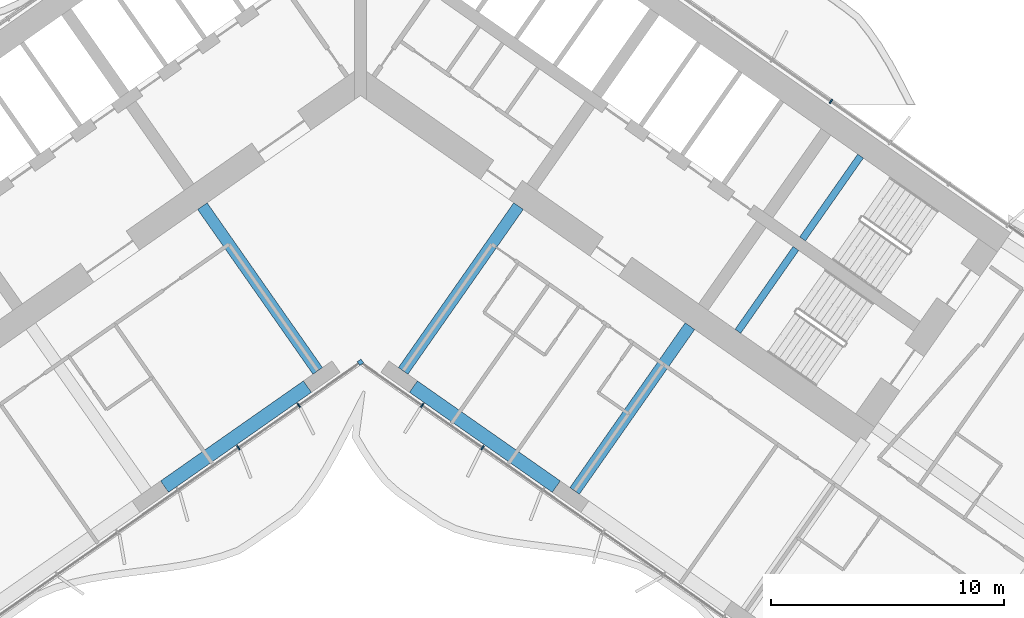
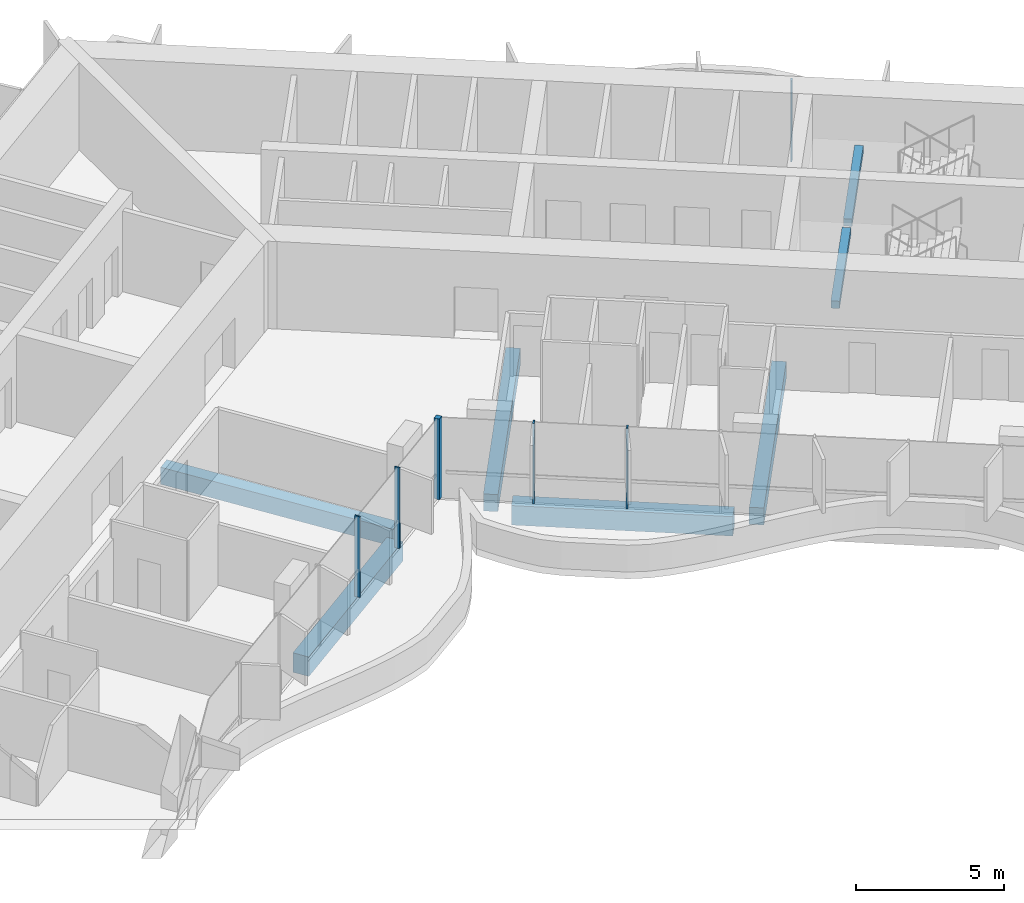
# One storey, part 6 of 23: 7 beams, 6 members, 2 elements without a shape of their own.
"""IFC4 building model written with IfcOpenShell, lengths in metres."""

import ifcopenshell
import ifcopenshell.guid

model = None  # the IFC model being written
_history = None  # IfcOwnerHistory: only IFC2X3 demands one
_inside = {}  # id of a spatial element -> (the spatial element, [elements in it])
_under = {}  # id of a project, library or spatial element -> (it, [spatial elements below it])
_declared = {}  # id of a project -> (the project, [libraries it declares])
_typed = {}  # id of a type object -> (the type object, [elements of that type])
_made_of = {}  # id of a material, layer set ... -> (it, [elements and type objects made of it])


def new_model(schema):
    """Start an empty IFC model of exactly this schema.

    Asked for "IFC4X3", IfcOpenShell would pick the latest addendum, in which some entities
    have other attributes; the version numbers below select the first issue.
    IFC2X3 requires an IfcOwnerHistory on every rooted entity: one is made here for all.
    """
    global model, _history
    if schema == "IFC4X3":
        model = ifcopenshell.file(schema_version=(4, 3, 0, 0))
    else:
        model = ifcopenshell.file(schema=schema)
    _inside.clear()
    _under.clear()
    _declared.clear()
    _typed.clear()
    _made_of.clear()
    _history = None
    if model.schema == "IFC2X3":
        org = make("IfcOrganization", Name="unknown")
        user = make(
            "IfcPersonAndOrganization",
            ThePerson=make("IfcPerson", FamilyName="unknown"),
            TheOrganization=org,
        )
        app = make(
            "IfcApplication",
            ApplicationDeveloper=org,
            Version="unknown",
            ApplicationFullName="unknown",
            ApplicationIdentifier="unknown",
        )
        _history = make(
            "IfcOwnerHistory",
            OwningUser=user,
            OwningApplication=app,
            ChangeAction="ADDED",
            CreationDate=0,
        )
    return model


def make(cls, **values):
    """One entity of the class cls with the attributes given. An attribute that is None is left unset."""
    return model.create_entity(
        cls, **{name: value for name, value in values.items() if value is not None}
    )


def rooted(cls, **values):
    """An entity with a GlobalId (a new one), such as an element, a storey or a relation."""
    return make(cls, GlobalId=ifcopenshell.guid.new(), OwnerHistory=_history, **values)


def si_unit(unit_type, name, prefix=None):
    """IfcSIUnit, for example si_unit("LENGTHUNIT", "METRE", prefix="MILLI")."""
    return make("IfcSIUnit", UnitType=unit_type, Prefix=prefix, Name=name)


def assignment(units):
    """IfcUnitAssignment: the units of a project."""
    return None if units is None else make("IfcUnitAssignment", Units=units)


def point(xyz):
    """IfcCartesianPoint."""
    return None if xyz is None else make("IfcCartesianPoint", Coordinates=xyz)


def direction(xyz):
    """IfcDirection."""
    return None if xyz is None else make("IfcDirection", DirectionRatios=xyz)


def frame(location, z_axis=None, x_axis=None):
    """IfcAxis2Placement3D, a coordinate frame: its origin and axes. An axis left out is left unset."""
    return make(
        "IfcAxis2Placement3D",
        Location=point(location),
        Axis=direction(z_axis),
        RefDirection=direction(x_axis),
    )


def frame_2d(location, x_axis=None):
    """IfcAxis2Placement2D, a coordinate frame in the plane: its origin and x axis."""
    return make(
        "IfcAxis2Placement2D", Location=point(location), RefDirection=direction(x_axis)
    )


def origin():
    """The frame at (0, 0, 0) with its axes left unset."""
    return frame((0.0, 0.0, 0.0))


def origin_2d():
    """The frame at (0, 0) in the plane with its x axis left unset."""
    return frame_2d((0.0, 0.0))


def place(relative_to, where):
    """IfcLocalPlacement: puts the frame where relative to a parent placement (None: the world)."""
    return make(
        "IfcLocalPlacement", PlacementRelTo=relative_to, RelativePlacement=where
    )


def context(
    kind, dimensions, precision=None, world=None, true_north=None, identifier=None
):
    """IfcGeometricRepresentationContext, for example the 3D "Model" context."""
    return make(
        "IfcGeometricRepresentationContext",
        ContextIdentifier=identifier,
        ContextType=kind,
        CoordinateSpaceDimension=dimensions,
        Precision=precision,
        WorldCoordinateSystem=world,
        TrueNorth=true_north,
    )


def subcontext(parent, identifier, kind, view, scale=None):
    """IfcGeometricRepresentationSubContext, for example "Body" below "Model"."""
    return make(
        "IfcGeometricRepresentationSubContext",
        ContextIdentifier=identifier,
        ContextType=kind,
        ParentContext=parent,
        TargetScale=scale,
        TargetView=view,
    )


def project(units=None, contexts=None):
    """IfcProject with its units and contexts."""
    return rooted(
        "IfcProject",
        Name="project",
        RepresentationContexts=contexts,
        UnitsInContext=assignment(units),
    )


def spatial(cls, under=None, at=None, **own):
    """A site, building, storey or space (cls), placed at a placement, below another one or the project."""
    s = rooted(cls, ObjectPlacement=at, **own)
    if under is not None:
        _under.setdefault(under.id(), (under, []))[1].append(s)
    return s


def profile(cls, at=None, kind="AREA", **sizes):
    """A parametric profile (cls). Its sizes go by their IFC names, for example OverallWidth=200.0."""
    return make(cls, ProfileType=kind, Position=at, **sizes)


def rectangle(**sizes):
    """IfcRectangleProfileDef."""
    return profile("IfcRectangleProfileDef", **sizes)


def extrude(swept, where, along, depth):
    """IfcExtrudedAreaSolid: the profile swept, set in the frame where, extruded along a direction by depth."""
    return make(
        "IfcExtrudedAreaSolid",
        SweptArea=swept,
        Position=where,
        ExtrudedDirection=direction(along),
        Depth=depth,
    )


def shape(context_of_items, identifier, shape_type, items):
    """IfcShapeRepresentation: the items that make up one representation, for example the "Body"."""
    return make(
        "IfcShapeRepresentation",
        ContextOfItems=context_of_items,
        RepresentationIdentifier=identifier,
        RepresentationType=shape_type,
        Items=items,
    )


def material(Name=None, Category=None):
    """IfcMaterial."""
    return make("IfcMaterial", Name=Name, Category=Category)


def material_profile(
    of_material, cross_section, Name=None, Category=None, Priority=None
):
    """IfcMaterialProfile: a cross section and its material."""
    return make(
        "IfcMaterialProfile",
        Name=Name,
        Material=of_material,
        Profile=cross_section,
        Priority=Priority,
        Category=Category,
    )


def profile_set(profiles, Name=None, composite=None):
    """IfcMaterialProfileSet."""
    return make(
        "IfcMaterialProfileSet",
        Name=Name,
        MaterialProfiles=profiles,
        CompositeProfile=composite,
    )


def made_of(thing, what):
    """Note that an element or type object is made of a material, layer set ...; save() writes the relation."""
    if what is not None:
        _made_of.setdefault(what.id(), (what, []))[1].append(thing)
    return thing


def type_object(cls, material=None, **own):
    """A type object (cls), such as IfcWallType, which elements share."""
    return made_of(rooted(cls, **own), material)


def element(
    cls,
    number,
    at=None,
    inside=None,
    cuts=None,
    type_object=None,
    material=None,
    context=None,
    identifier="Body",
    shape_type=None,
    held_by="IfcProductDefinitionShape",
    body=None,
    shapes=None,
    **own,
):
    """One element of the class cls, such as IfcWall. Its Tag is "e" and its number.

    at: its placement. inside: the storey or other place that contains it. cuts: it is an
    opening in that element (IfcRelVoidsElement). A single representation is given by context,
    identifier, shape_type and body (its items); several are given by shapes. held_by: the class
    of the entity that holds the representations. save() writes the other relations.
    """
    e = rooted(cls, Tag="e%d" % number, ObjectPlacement=at, **own)
    if body is not None:
        shapes = [shape(context, identifier, shape_type, body)]
    if shapes is not None:
        e.Representation = make(held_by, Representations=shapes)
    if inside is not None:
        _inside.setdefault(inside.id(), (inside, []))[1].append(e)
    if cuts is not None:
        rooted(
            "IfcRelVoidsElement", RelatingBuildingElement=cuts, RelatedOpeningElement=e
        )
    if type_object is not None:
        _typed.setdefault(type_object.id(), (type_object, []))[1].append(e)
    return made_of(e, material)


def aggregate(whole, parts):
    """IfcRelAggregates: a whole, such as a stair, and the parts it consists of."""
    return rooted("IfcRelAggregates", RelatingObject=whole, RelatedObjects=parts)


def save(model, path):
    """Write the relations noted so far, then the file.

    IfcRelAggregates (storeys below a building ...), IfcRelContainedInSpatialStructure (elements
    in a storey), IfcRelDefinesByType, IfcRelAssociatesMaterial and IfcRelDeclares: one each for
    every whole, place, type object, material and project.
    """
    for whole, parts in _under.values():
        aggregate(whole, parts)
    for where, things in _inside.values():
        rooted(
            "IfcRelContainedInSpatialStructure",
            RelatedElements=things,
            RelatingStructure=where,
        )
    for kind, things in _typed.values():
        rooted("IfcRelDefinesByType", RelatedObjects=things, RelatingType=kind)
    for what, things in _made_of.values():
        rooted("IfcRelAssociatesMaterial", RelatedObjects=things, RelatingMaterial=what)
    for by, libraries in _declared.values():
        rooted("IfcRelDeclares", RelatingContext=by, RelatedDefinitions=libraries)
    model.write(path)


model = new_model("IFC4")

# Units and contexts
model_context = context("Model", 3, precision=1e-05, world=origin(), true_north=direction((0.0, 1.0)))
body_context = subcontext(model_context, "Body", "Model", "MODEL_VIEW")
ifc_project = project(units=[si_unit("LENGTHUNIT", "METRE"), si_unit("AREAUNIT", "SQUARE_METRE"), si_unit("VOLUMEUNIT", "CUBIC_METRE"), si_unit("PLANEANGLEUNIT", "RADIAN"), si_unit("MASSUNIT", "GRAM", prefix="KILO")], contexts=[model_context])

# Site, building, storey
site_placement = place(None, origin())
site = spatial("IfcSite", under=ifc_project, at=site_placement, CompositionType="ELEMENT")
building_placement = place(site_placement, origin())
building = spatial("IfcBuilding", under=site, at=building_placement, Name="Tel Ilan Convention Tower", CompositionType="ELEMENT")
storey_placement = place(building_placement, frame((0.0, 0.0, 115.699951171875)))
storey = spatial("IfcBuildingStorey", under=building, at=storey_placement, Name="L25", CompositionType="ELEMENT", Elevation=115.699951171875)

# Beams
ifc_material_1 = material(Name="Concrete C40/50", Category="concrete")
ifc_material_profile_1 = material_profile(ifc_material_1, rectangle(XDim=0.5, YDim=0.699951171875, at=origin_2d()), Name="RC 500x700")
ifc_profile_set_1 = profile_set([ifc_material_profile_1], Name="Concrete C40/50")
beam_type_1 = type_object("IfcBeamType", Name="Beam RC 500x700 Concrete C40/50", PredefinedType="BEAM", material=ifc_profile_set_1)
for number, where, z_axis, x_axis, name in (
    (1, (-1.83740234375, -13.06689453125, -0.6298828125), (-0.573574099654, 0.819153680457, 0.0), (-0.819153680457, -0.573574099654, 0.0), "L25 beam W-W-F1-core"),
    (2, (1.83740234375, -13.06689453125, -0.6298828125), (0.573574099654, 0.819153680457, 0.0), (-0.819153680457, 0.573574099654, 0.0), "L25 beam E-E-F1-core"),
    (3, (9.209716796875, -18.229248046875, -0.6298828125), (0.573574099654, 0.819153680457, 0.0), (-0.819153680457, 0.573574099654, 0.0), "L25 beam E-E-F2-core"),
):
    element("IfcBeam", number, at=place(storey_placement, frame(where, z_axis=z_axis, x_axis=x_axis)), inside=storey, type_object=beam_type_1, Name=name, PredefinedType="BEAM", context=body_context, shape_type="SweptSolid", body=[
        extrude(rectangle(XDim=0.5, YDim=0.699951171875, at=origin_2d()), origin(), (0.0, 0.0, 1.0), 8.64990234375),
    ])
ifc_material_2 = material(Name="Concrete C40/50", Category="concrete")
ifc_material_profile_2 = material_profile(ifc_material_2, rectangle(XDim=0.60009765625, YDim=0.800048828125, at=origin_2d()), Name="RC 600x800")
ifc_profile_set_2 = profile_set([ifc_material_profile_2], Name="Concrete C40/50")
beam_type_2 = type_object("IfcBeamType", Name="Beam RC 600x800 Concrete C40/50", PredefinedType="BEAM", material=ifc_profile_set_2)
for number, where, z_axis, x_axis, name in (
    (4, (-2.279541015625, -13.742919921875, -0.679931640625), (-0.819147803225, -0.57358249317, 0.0), (0.57358249317, -0.819147803225, 0.0), "L25 beam W-W-F1-W-F2"),
    (5, (2.279541015625, -13.742919921875, -0.679931640625), (0.819147803225, -0.57358249317, 0.0), (0.57358249317, 0.819147803225, 0.0), "L25 beam E-E-F1-E-F2"),
):
    element("IfcBeam", number, at=place(storey_placement, frame(where, z_axis=z_axis, x_axis=x_axis)), inside=storey, type_object=beam_type_2, Name=name, PredefinedType="BEAM", context=body_context, shape_type="SweptSolid", body=[
        extrude(rectangle(XDim=0.60009765625, YDim=0.800048828125, at=origin_2d()), origin(), (0.0, 0.0, 1.0), 7.500244140625),
    ])

# Curtain wall, member
ifc_material_3 = material(Name="Aluminium, bronze anodised", Category="aluminium")
curtain_wall_type_1 = type_object("IfcCurtainWallType", Name="CW1 UNITISED CURTAIN WALL, HOTEL TINTED GLASS", PredefinedType="NOTDEFINED", material=ifc_material_3)
curtain_wall_1_placement = place(storey_placement, origin())
curtain_wall_1 = element("IfcCurtainWall", 6, at=curtain_wall_1_placement, inside=storey, type_object=curtain_wall_type_1, Name="Curtain wall CW1-20.02", PredefinedType="NOTDEFINED")
ifc_material_4 = material(Name="Aluminium, bronze anodised", Category="aluminium")
ifc_material_profile_3 = material_profile(ifc_material_4, rectangle(XDim=0.199951171875, YDim=0.199951171875, at=origin_2d()), Name="CW CORNER MULLION 200x200")
ifc_profile_set_3 = profile_set([ifc_material_profile_3], Name="Aluminium, bronze anodised")
member_type_1 = type_object("IfcMemberType", Name="CW CORNER MULLION 200x200", PredefinedType="MULLION", material=ifc_profile_set_3)
member_1_placement = place(storey_placement, frame((0.0, -12.696044921875, 0.0), z_axis=(0.0, 0.0, 1.0), x_axis=(0.819152044289, 0.573576436351, 0.0)))
member_1 = element("IfcMember", 7, at=member_1_placement, type_object=member_type_1, Name="Corner mullion", PredefinedType="MULLION", context=body_context, shape_type="SweptSolid", body=[
    extrude(rectangle(XDim=0.199951171875, YDim=0.199951171875, at=origin_2d()), origin(), (0.0, 0.0, 1.0), 3.320068359375),
])

ifc_material_5 = material(Name="Aluminium, bronze anodised", Category="aluminium")
curtain_wall_type_2 = type_object("IfcCurtainWallType", Name="CW2 STICK CURTAIN WALL, SPANDREL PANELS", PredefinedType="NOTDEFINED", material=ifc_material_5)
curtain_wall_2_placement = place(storey_placement, origin())
curtain_wall_2 = element("IfcCurtainWall", 8, at=curtain_wall_2_placement, inside=storey, type_object=curtain_wall_type_2, Name="Curtain wall CW2-20.01", PredefinedType="NOTDEFINED")
ifc_material_6 = material(Name="Aluminium, bronze anodised", Category="aluminium")
ifc_material_profile_4 = material_profile(ifc_material_6, rectangle(XDim=0.06005859375, YDim=0.199951171875, at=origin_2d()), Name="CW MULLION 60x200")
ifc_profile_set_4 = profile_set([ifc_material_profile_4], Name="Aluminium, bronze anodised")
member_type_2 = type_object("IfcMemberType", Name="CW MULLION 60x200", PredefinedType="MULLION", material=ifc_profile_set_4)
member_2_placement = place(storey_placement, frame((20.238037109375, -1.474853515625, 0.0), z_axis=(0.0, 0.0, 1.0), x_axis=(-0.819152044289, 0.573576436351, 0.0)))
member_2 = element("IfcMember", 9, at=member_2_placement, type_object=member_type_2, Name="Mullion", PredefinedType="MULLION", context=body_context, shape_type="SweptSolid", body=[
    extrude(rectangle(XDim=0.06005859375, YDim=0.199951171875, at=origin_2d()), origin(), (0.0, 0.0, 1.0), 3.320068359375),
])
aggregate(curtain_wall_2, [member_2])

# Member
member_3_placement = place(storey_placement, frame((-5.24755859375, -16.370361328125, 0.0), z_axis=(0.0, 0.0, 1.0), x_axis=(0.819152044289, 0.573576436351, 0.0)))
member_3 = element("IfcMember", 10, at=member_3_placement, type_object=member_type_2, Name="Mullion", PredefinedType="MULLION", context=body_context, shape_type="SweptSolid", body=[
    extrude(rectangle(XDim=0.06005859375, YDim=0.199951171875, at=origin_2d()), origin(), (0.0, 0.0, 1.0), 3.320068359375),
])

member_4_placement = place(storey_placement, frame((-2.65234375, -14.55322265625, 0.0), z_axis=(0.0, 0.0, 1.0), x_axis=(0.819152044289, 0.573576436351, 0.0)))
member_4 = element("IfcMember", 11, at=member_4_placement, type_object=member_type_2, Name="Mullion", PredefinedType="MULLION", context=body_context, shape_type="SweptSolid", body=[
    extrude(rectangle(XDim=0.06005859375, YDim=0.199951171875, at=origin_2d()), origin(), (0.0, 0.0, 1.0), 3.320068359375),
])

member_5_placement = place(storey_placement, frame((2.65234375, -14.55322265625, 0.0), z_axis=(0.0, 0.0, 1.0), x_axis=(0.819152044289, -0.573576436351, 0.0)))
member_5 = element("IfcMember", 12, at=member_5_placement, type_object=member_type_2, Name="Mullion", PredefinedType="MULLION", context=body_context, shape_type="SweptSolid", body=[
    extrude(rectangle(XDim=0.06005859375, YDim=0.199951171875, at=origin_2d()), origin(), (0.0, 0.0, 1.0), 3.320068359375),
])

member_6_placement = place(storey_placement, frame((5.24755859375, -16.370361328125, 0.0), z_axis=(0.0, 0.0, 1.0), x_axis=(0.819152044289, -0.573576436351, 0.0)))
member_6 = element("IfcMember", 13, at=member_6_placement, type_object=member_type_2, Name="Mullion", PredefinedType="MULLION", context=body_context, shape_type="SweptSolid", body=[
    extrude(rectangle(XDim=0.06005859375, YDim=0.199951171875, at=origin_2d()), origin(), (0.0, 0.0, 1.0), 3.320068359375),
])

aggregate(curtain_wall_1, [member_3, member_4, member_1, member_5, member_6])

# Beams
ifc_material_7 = material(Name="Concrete C40/50", Category="concrete")
ifc_material_profile_5 = material_profile(ifc_material_7, rectangle(XDim=0.300048828125, YDim=0.300048828125, at=origin_2d()), Name="RC 300x300")
ifc_profile_set_5 = profile_set([ifc_material_profile_5], Name="Concrete C40/50")
beam_type_3 = type_object("IfcBeamType", Name="Landing Beam RC 300x300 Concrete C40/50", PredefinedType="BEAM", material=ifc_profile_set_5)
beam_1_placement = place(storey_placement, frame((21.5087890625, -3.829345703125, 1.449951171875), z_axis=(-0.57356780395, -0.819158088694, 0.0), x_axis=(0.819158088694, -0.57356780395, 0.0)))
element("IfcBeam", 14, at=beam_1_placement, inside=storey, type_object=beam_type_3, Name="S3 landing beam L25.1", PredefinedType="BEAM", context=body_context, shape_type="SweptSolid", body=[
    extrude(rectangle(XDim=0.300048828125, YDim=0.300048828125, at=origin_2d()), origin(), (0.0, 0.0, 1.0), 4.35009765625),
])
beam_2_placement = place(storey_placement, frame((18.726806640625, -7.80224609375, 1.449951171875), z_axis=(-0.573594173421, -0.819139624372, 0.0), x_axis=(0.819139624372, -0.573594173421, 0.0)))
element("IfcBeam", 15, at=beam_2_placement, inside=storey, type_object=beam_type_3, Name="S4 landing beam L25.1", PredefinedType="BEAM", context=body_context, shape_type="SweptSolid", body=[
    extrude(rectangle(XDim=0.300048828125, YDim=0.300048828125, at=origin_2d()), origin(), (0.0, 0.0, 1.0), 4.349853515625),
])

save(model, "model.ifc")
